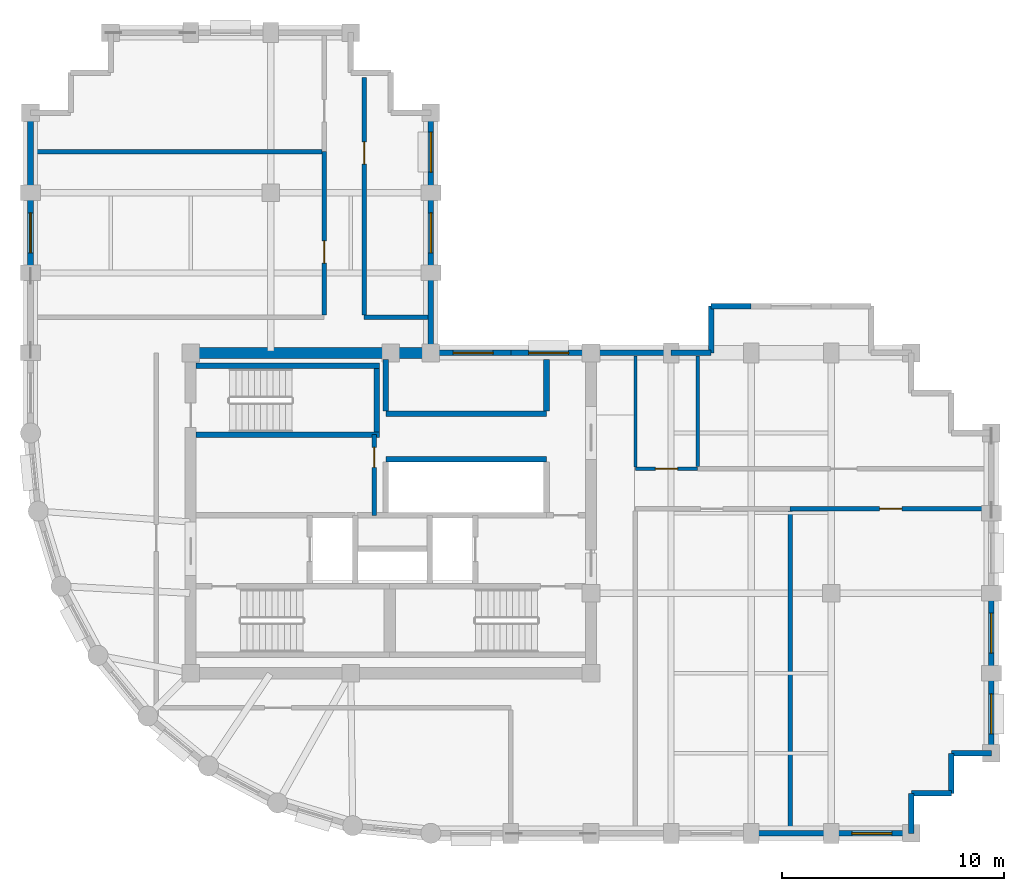
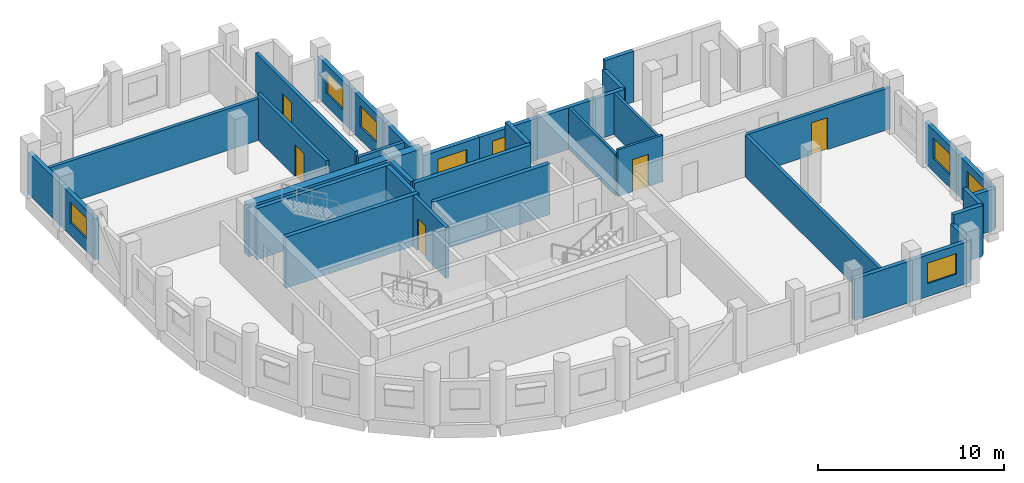
# One storey, part 4 of 7: 37 walls, 8 windows, 5 doors, 13 openings.
"""IFC4 building model written with IfcOpenShell, lengths in metres."""

import ifcopenshell
import ifcopenshell.guid

model = None  # the IFC model being written
_history = None  # IfcOwnerHistory: only IFC2X3 demands one
_inside = {}  # id of a spatial element -> (the spatial element, [elements in it])
_under = {}  # id of a project, library or spatial element -> (it, [spatial elements below it])
_declared = {}  # id of a project -> (the project, [libraries it declares])
_typed = {}  # id of a type object -> (the type object, [elements of that type])
_made_of = {}  # id of a material, layer set ... -> (it, [elements and type objects made of it])


def new_model(schema):
    """Start an empty IFC model of exactly this schema.

    Asked for "IFC4X3", IfcOpenShell would pick the latest addendum, in which some entities
    have other attributes; the version numbers below select the first issue.
    IFC2X3 requires an IfcOwnerHistory on every rooted entity: one is made here for all.
    """
    global model, _history
    if schema == "IFC4X3":
        model = ifcopenshell.file(schema_version=(4, 3, 0, 0))
    else:
        model = ifcopenshell.file(schema=schema)
    _inside.clear()
    _under.clear()
    _declared.clear()
    _typed.clear()
    _made_of.clear()
    _history = None
    if model.schema == "IFC2X3":
        org = make("IfcOrganization", Name="unknown")
        user = make(
            "IfcPersonAndOrganization",
            ThePerson=make("IfcPerson", FamilyName="unknown"),
            TheOrganization=org,
        )
        app = make(
            "IfcApplication",
            ApplicationDeveloper=org,
            Version="unknown",
            ApplicationFullName="unknown",
            ApplicationIdentifier="unknown",
        )
        _history = make(
            "IfcOwnerHistory",
            OwningUser=user,
            OwningApplication=app,
            ChangeAction="ADDED",
            CreationDate=0,
        )
    return model


def make(cls, **values):
    """One entity of the class cls with the attributes given. An attribute that is None is left unset."""
    return model.create_entity(
        cls, **{name: value for name, value in values.items() if value is not None}
    )


def rooted(cls, **values):
    """An entity with a GlobalId (a new one), such as an element, a storey or a relation."""
    return make(cls, GlobalId=ifcopenshell.guid.new(), OwnerHistory=_history, **values)


def si_unit(unit_type, name, prefix=None):
    """IfcSIUnit, for example si_unit("LENGTHUNIT", "METRE", prefix="MILLI")."""
    return make("IfcSIUnit", UnitType=unit_type, Prefix=prefix, Name=name)


def assignment(units):
    """IfcUnitAssignment: the units of a project."""
    return None if units is None else make("IfcUnitAssignment", Units=units)


def point(xyz):
    """IfcCartesianPoint."""
    return None if xyz is None else make("IfcCartesianPoint", Coordinates=xyz)


def direction(xyz):
    """IfcDirection."""
    return None if xyz is None else make("IfcDirection", DirectionRatios=xyz)


def frame(location, z_axis=None, x_axis=None):
    """IfcAxis2Placement3D, a coordinate frame: its origin and axes. An axis left out is left unset."""
    return make(
        "IfcAxis2Placement3D",
        Location=point(location),
        Axis=direction(z_axis),
        RefDirection=direction(x_axis),
    )


def frame_2d(location, x_axis=None):
    """IfcAxis2Placement2D, a coordinate frame in the plane: its origin and x axis."""
    return make(
        "IfcAxis2Placement2D", Location=point(location), RefDirection=direction(x_axis)
    )


def origin():
    """The frame at (0, 0, 0) with its axes left unset."""
    return frame((0.0, 0.0, 0.0))


def place(relative_to, where):
    """IfcLocalPlacement: puts the frame where relative to a parent placement (None: the world)."""
    return make(
        "IfcLocalPlacement", PlacementRelTo=relative_to, RelativePlacement=where
    )


def context(
    kind, dimensions, precision=None, world=None, true_north=None, identifier=None
):
    """IfcGeometricRepresentationContext, for example the 3D "Model" context."""
    return make(
        "IfcGeometricRepresentationContext",
        ContextIdentifier=identifier,
        ContextType=kind,
        CoordinateSpaceDimension=dimensions,
        Precision=precision,
        WorldCoordinateSystem=world,
        TrueNorth=true_north,
    )


def subcontext(parent, identifier, kind, view, scale=None):
    """IfcGeometricRepresentationSubContext, for example "Body" below "Model"."""
    return make(
        "IfcGeometricRepresentationSubContext",
        ContextIdentifier=identifier,
        ContextType=kind,
        ParentContext=parent,
        TargetScale=scale,
        TargetView=view,
    )


def project(units=None, contexts=None):
    """IfcProject with its units and contexts."""
    return rooted(
        "IfcProject",
        Name="project",
        RepresentationContexts=contexts,
        UnitsInContext=assignment(units),
    )


def spatial(cls, under=None, at=None, **own):
    """A site, building, storey or space (cls), placed at a placement, below another one or the project."""
    s = rooted(cls, ObjectPlacement=at, **own)
    if under is not None:
        _under.setdefault(under.id(), (under, []))[1].append(s)
    return s


def profile(cls, at=None, kind="AREA", **sizes):
    """A parametric profile (cls). Its sizes go by their IFC names, for example OverallWidth=200.0."""
    return make(cls, ProfileType=kind, Position=at, **sizes)


def rectangle(**sizes):
    """IfcRectangleProfileDef."""
    return profile("IfcRectangleProfileDef", **sizes)


def extrude(swept, where, along, depth):
    """IfcExtrudedAreaSolid: the profile swept, set in the frame where, extruded along a direction by depth."""
    return make(
        "IfcExtrudedAreaSolid",
        SweptArea=swept,
        Position=where,
        ExtrudedDirection=direction(along),
        Depth=depth,
    )


def shape(context_of_items, identifier, shape_type, items):
    """IfcShapeRepresentation: the items that make up one representation, for example the "Body"."""
    return make(
        "IfcShapeRepresentation",
        ContextOfItems=context_of_items,
        RepresentationIdentifier=identifier,
        RepresentationType=shape_type,
        Items=items,
    )


def material(Name=None, Category=None):
    """IfcMaterial."""
    return make("IfcMaterial", Name=Name, Category=Category)


def layer(
    of_material, thickness, ventilated=None, Name=None, Category=None, Priority=None
):
    """IfcMaterialLayer: one layer of a wall or slab, of a material (None: an air gap)."""
    return make(
        "IfcMaterialLayer",
        Material=of_material,
        LayerThickness=thickness,
        IsVentilated=ventilated,
        Name=Name,
        Category=Category,
        Priority=Priority,
    )


def layer_set(layers, Name=None):
    """IfcMaterialLayerSet."""
    return make("IfcMaterialLayerSet", MaterialLayers=layers, LayerSetName=Name)


def made_of(thing, what):
    """Note that an element or type object is made of a material, layer set ...; save() writes the relation."""
    if what is not None:
        _made_of.setdefault(what.id(), (what, []))[1].append(thing)
    return thing


def type_object(cls, material=None, **own):
    """A type object (cls), such as IfcWallType, which elements share."""
    return made_of(rooted(cls, **own), material)


def element(
    cls,
    number,
    at=None,
    inside=None,
    cuts=None,
    type_object=None,
    material=None,
    context=None,
    identifier="Body",
    shape_type=None,
    held_by="IfcProductDefinitionShape",
    body=None,
    shapes=None,
    **own,
):
    """One element of the class cls, such as IfcWall. Its Tag is "e" and its number.

    at: its placement. inside: the storey or other place that contains it. cuts: it is an
    opening in that element (IfcRelVoidsElement). A single representation is given by context,
    identifier, shape_type and body (its items); several are given by shapes. held_by: the class
    of the entity that holds the representations. save() writes the other relations.
    """
    e = rooted(cls, Tag="e%d" % number, ObjectPlacement=at, **own)
    if body is not None:
        shapes = [shape(context, identifier, shape_type, body)]
    if shapes is not None:
        e.Representation = make(held_by, Representations=shapes)
    if inside is not None:
        _inside.setdefault(inside.id(), (inside, []))[1].append(e)
    if cuts is not None:
        rooted(
            "IfcRelVoidsElement", RelatingBuildingElement=cuts, RelatedOpeningElement=e
        )
    if type_object is not None:
        _typed.setdefault(type_object.id(), (type_object, []))[1].append(e)
    return made_of(e, material)


def fill(opening, filler):
    """IfcRelFillsElement: the door or window that sits in an opening."""
    return rooted(
        "IfcRelFillsElement",
        RelatingOpeningElement=opening,
        RelatedBuildingElement=filler,
    )


def aggregate(whole, parts):
    """IfcRelAggregates: a whole, such as a stair, and the parts it consists of."""
    return rooted("IfcRelAggregates", RelatingObject=whole, RelatedObjects=parts)


def save(model, path):
    """Write the relations noted so far, then the file.

    IfcRelAggregates (storeys below a building ...), IfcRelContainedInSpatialStructure (elements
    in a storey), IfcRelDefinesByType, IfcRelAssociatesMaterial and IfcRelDeclares: one each for
    every whole, place, type object, material and project.
    """
    for whole, parts in _under.values():
        aggregate(whole, parts)
    for where, things in _inside.values():
        rooted(
            "IfcRelContainedInSpatialStructure",
            RelatedElements=things,
            RelatingStructure=where,
        )
    for kind, things in _typed.values():
        rooted("IfcRelDefinesByType", RelatedObjects=things, RelatingType=kind)
    for what, things in _made_of.values():
        rooted("IfcRelAssociatesMaterial", RelatedObjects=things, RelatingMaterial=what)
    for by, libraries in _declared.values():
        rooted("IfcRelDeclares", RelatingContext=by, RelatedDefinitions=libraries)
    model.write(path)


model = new_model("IFC4")

# Units and contexts
model_context = context("Model", 3, precision=1e-05, world=origin(), true_north=direction((0.0, 1.0)))
body_context = subcontext(model_context, "Body", "Model", "MODEL_VIEW")
ifc_project = project(units=[si_unit("LENGTHUNIT", "METRE"), si_unit("AREAUNIT", "SQUARE_METRE"), si_unit("VOLUMEUNIT", "CUBIC_METRE"), si_unit("PLANEANGLEUNIT", "RADIAN"), si_unit("MASSUNIT", "GRAM", prefix="KILO")], contexts=[model_context])

# Site, building, storey
site_placement = place(None, origin())
site = spatial("IfcSite", under=ifc_project, at=site_placement, CompositionType="ELEMENT")
building_placement = place(site_placement, origin())
building = spatial("IfcBuilding", under=site, at=building_placement, Name="Solnavia Interchange Tower", CompositionType="ELEMENT")
storey_placement = place(building_placement, frame((0.0, 0.0, 213.800048828125)))
storey = spatial("IfcBuildingStorey", under=building, at=storey_placement, Name="L53", CompositionType="ELEMENT", Elevation=213.800048828125)

# Wall
ifc_material_1 = material(Name="Concrete C40/50", Category="concrete")
ifc_layer_1 = layer(ifc_material_1, 0.25)
ifc_layer_set_1 = layer_set([ifc_layer_1], Name="Concrete C40/50")
wall_type_1 = type_object("IfcWallType", Name="Wall-ExtSpandrel-250", PredefinedType="STANDARD", material=ifc_layer_set_1)
wall_1_placement = place(storey_placement, frame((43.199951171875, 3.60009765625, 0.0), z_axis=(0.0, 0.0, 1.0), x_axis=(-1.0, 0.0, 0.0)))
element("IfcWall", 1, at=wall_1_placement, inside=storey, type_object=wall_type_1, Name="EXW-L53-05 Exterior precast spandrel wall", PredefinedType="STANDARD", context=body_context, shape_type="SweptSolid", body=[
    extrude(rectangle(XDim=3.599853515625, YDim=0.25, at=frame_2d((1.7998046875, 0.0))), origin(), (0.0, 0.0, 1.0), 2.72998046875),
])

# Wall, opening, window
wall_2_placement = place(storey_placement, frame((46.800048828125, 3.60009765625, 0.0), z_axis=(0.0, 0.0, 1.0), x_axis=(-1.0, 0.0, 0.0)))
wall_2 = element("IfcWall", 2, at=wall_2_placement, inside=storey, type_object=wall_type_1, Name="EXW-L53-06 Exterior precast spandrel wall", PredefinedType="STANDARD", context=body_context, shape_type="SweptSolid", body=[
    extrude(rectangle(XDim=3.60009765625, YDim=0.25, at=frame_2d((1.800048828125, 0.0))), origin(), (0.0, 0.0, 1.0), 2.72998046875),
])
opening_1_placement = place(wall_2_placement, frame((0.875, 0.0, 0.85009765625)))
opening_1 = element("IfcOpeningElement", 3, at=opening_1_placement, cuts=wall_2, Name="Opening WIN-02", PredefinedType="OPENING", context=body_context, shape_type="SweptSolid", body=[
    extrude(rectangle(XDim=1.800048828125, YDim=1.35009765625, at=frame_2d((0.89990234375, 0.675048828125))), frame((0.0, 0.135009765625, 0.0), z_axis=(0.0, -1.0, 0.0), x_axis=(1.0, 0.0, 0.0)), (0.0, 0.0, 1.0), 0.27001953125),
])
ifc_material_2 = material(Name="Thermal-Break Aluminium & Low-E Glass", Category="aluminium")
window_type = type_object("IfcWindowType", Name="Window-Ribbon-1800x1350", PartitioningType="SINGLE_PANEL", PredefinedType="WINDOW", material=ifc_material_2)
window_1_placement = place(opening_1_placement, origin())
window_1 = element("IfcWindow", 4, at=window_1_placement, inside=storey, type_object=window_type, Name="WIN-L53-06 Facade ribbon window", OverallHeight=1.35009765625, OverallWidth=1.800048828125, PartitioningType="SINGLE_PANEL", PredefinedType="WINDOW", context=body_context, shape_type="SweptSolid", body=[
    extrude(rectangle(XDim=1.800048828125, YDim=1.35009765625, at=frame_2d((0.89990234375, 0.675048828125))), frame((0.0, 0.030029296875, 0.0), z_axis=(0.0, -1.0, 0.0), x_axis=(1.0, 0.0, 0.0)), (0.0, 0.0, 1.0), 0.06005859375),
])
fill(opening_1, window_1)

# Walls
wall_3_placement = place(storey_placement, frame((46.800048828125, 5.39990234375, 0.0), z_axis=(0.0, 0.0, 1.0), x_axis=(0.0, -1.0, 0.0)))
element("IfcWall", 5, at=wall_3_placement, inside=storey, type_object=wall_type_1, Name="EXW-L53-07 Exterior precast spandrel wall", PredefinedType="STANDARD", context=body_context, shape_type="SweptSolid", body=[
    extrude(rectangle(XDim=1.7998046875, YDim=0.25, at=frame_2d((0.89990234375, 0.0))), origin(), (0.0, 0.0, 1.0), 2.72998046875),
])
for number, where, z_axis, x_axis, name in (
    (6, (48.60009765625, 5.39990234375, 0.0), (0.0, 0.0, 1.0), (-1.0, 0.0, 0.0), "EXW-L53-08 Exterior precast spandrel wall"),
    (7, (48.60009765625, 7.199951171875, 0.0), (0.0, 0.0, 1.0), (0.0, -1.0, 0.0), "EXW-L53-09 Exterior precast spandrel wall"),
):
    element("IfcWall", number, at=place(storey_placement, frame(where, z_axis=z_axis, x_axis=x_axis)), inside=storey, type_object=wall_type_1, Name=name, PredefinedType="STANDARD", context=body_context, shape_type="SweptSolid", body=[
        extrude(rectangle(XDim=1.800048828125, YDim=0.25, at=frame_2d((0.89990234375, 0.0))), origin(), (0.0, 0.0, 1.0), 3.3349609375),
    ])
wall_4_placement = place(storey_placement, frame((50.39990234375, 7.199951171875, 0.0), z_axis=(0.0, 0.0, 1.0), x_axis=(-1.0, 0.0, 0.0)))
element("IfcWall", 8, at=wall_4_placement, inside=storey, type_object=wall_type_1, Name="EXW-L53-10 Exterior precast spandrel wall", PredefinedType="STANDARD", context=body_context, shape_type="SweptSolid", body=[
    extrude(rectangle(XDim=1.7998046875, YDim=0.25, at=frame_2d((0.89990234375, 0.0))), origin(), (0.0, 0.0, 1.0), 2.72998046875),
])

# Wall, opening, window
wall_5_placement = place(storey_placement, frame((50.39990234375, 10.800048828125, 0.0), z_axis=(0.0, 0.0, 1.0), x_axis=(0.0, -1.0, 0.0)))
wall_5 = element("IfcWall", 9, at=wall_5_placement, inside=storey, type_object=wall_type_1, Name="EXW-L53-11 Exterior precast spandrel wall", PredefinedType="STANDARD", context=body_context, shape_type="SweptSolid", body=[
    extrude(rectangle(XDim=3.60009765625, YDim=0.25, at=frame_2d((1.800048828125, 0.0))), origin(), (0.0, 0.0, 1.0), 2.72998046875),
])
opening_2_placement = place(wall_5_placement, frame((0.925048828125, 0.0, 0.85009765625)))
opening_2 = element("IfcOpeningElement", 10, at=opening_2_placement, cuts=wall_5, Name="Opening WIN-02", PredefinedType="OPENING", context=body_context, shape_type="SweptSolid", body=[
    extrude(rectangle(XDim=1.800048828125, YDim=1.35009765625, at=frame_2d((0.89990234375, 0.675048828125))), frame((0.0, 0.135009765625, 0.0), z_axis=(0.0, -1.0, 0.0), x_axis=(1.0, 0.0, 0.0)), (0.0, 0.0, 1.0), 0.27001953125),
])
window_2_placement = place(opening_2_placement, origin())
window_2 = element("IfcWindow", 11, at=window_2_placement, inside=storey, type_object=window_type, Name="WIN-L53-11 Facade ribbon window", OverallHeight=1.35009765625, OverallWidth=1.800048828125, PartitioningType="SINGLE_PANEL", PredefinedType="WINDOW", context=body_context, shape_type="SweptSolid", body=[
    extrude(rectangle(XDim=1.800048828125, YDim=1.35009765625, at=frame_2d((0.89990234375, 0.675048828125))), frame((0.0, 0.030029296875, 0.0), z_axis=(0.0, -1.0, 0.0), x_axis=(1.0, 0.0, 0.0)), (0.0, 0.0, 1.0), 0.06005859375),
])
fill(opening_2, window_2)

wall_6_placement = place(storey_placement, frame((50.39990234375, 14.39990234375, 0.0), z_axis=(0.0, 0.0, 1.0), x_axis=(0.0, -1.0, 0.0)))
wall_6 = element("IfcWall", 12, at=wall_6_placement, inside=storey, type_object=wall_type_1, Name="EXW-L53-12 Exterior precast spandrel wall", PredefinedType="STANDARD", context=body_context, shape_type="SweptSolid", body=[
    extrude(rectangle(XDim=3.599853515625, YDim=0.25, at=frame_2d((1.7998046875, 0.0))), origin(), (0.0, 0.0, 1.0), 2.72998046875),
])
opening_3_placement = place(wall_6_placement, frame((0.89990234375, 0.0, 0.85009765625)))
opening_3 = element("IfcOpeningElement", 13, at=opening_3_placement, cuts=wall_6, Name="Opening WIN-02", PredefinedType="OPENING", context=body_context, shape_type="SweptSolid", body=[
    extrude(rectangle(XDim=1.800048828125, YDim=1.35009765625, at=frame_2d((0.89990234375, 0.675048828125))), frame((0.0, 0.135009765625, 0.0), z_axis=(0.0, -1.0, 0.0), x_axis=(1.0, 0.0, 0.0)), (0.0, 0.0, 1.0), 0.27001953125),
])
window_3_placement = place(opening_3_placement, origin())
window_3 = element("IfcWindow", 14, at=window_3_placement, inside=storey, type_object=window_type, Name="WIN-L53-12 Facade ribbon window", OverallHeight=1.35009765625, OverallWidth=1.800048828125, PartitioningType="SINGLE_PANEL", PredefinedType="WINDOW", context=body_context, shape_type="SweptSolid", body=[
    extrude(rectangle(XDim=1.800048828125, YDim=1.35009765625, at=frame_2d((0.89990234375, 0.675048828125))), frame((0.0, 0.030029296875, 0.0), z_axis=(0.0, -1.0, 0.0), x_axis=(1.0, 0.0, 0.0)), (0.0, 0.0, 1.0), 0.06005859375),
])
fill(opening_3, window_3)

# Walls
wall_7_placement = place(storey_placement, frame((37.800048828125, 27.300048828125, 0.0), z_axis=(0.0, 0.0, 1.0), x_axis=(1.0, 0.0, 0.0)))
element("IfcWall", 15, at=wall_7_placement, inside=storey, type_object=wall_type_1, Name="EXW-L53-23 Exterior precast spandrel wall", PredefinedType="STANDARD", context=body_context, shape_type="SweptSolid", body=[
    extrude(rectangle(XDim=1.800048828125, YDim=0.25, at=frame_2d((0.89990234375, 0.0))), origin(), (0.0, 0.0, 1.0), 3.3349609375),
])
wall_8_placement = place(storey_placement, frame((37.800048828125, 27.300048828125, 0.0), z_axis=(0.0, 0.0, 1.0), x_axis=(0.0, -1.0, 0.0)))
element("IfcWall", 16, at=wall_8_placement, inside=storey, type_object=wall_type_1, Name="EXW-L53-24 Exterior precast spandrel wall", PredefinedType="STANDARD", context=body_context, shape_type="SweptSolid", body=[
    extrude(rectangle(XDim=2.10009765625, YDim=0.25, at=frame_2d((1.050048828125, 0.0))), origin(), (0.0, 0.0, 1.0), 2.72998046875),
])
wall_9_placement = place(storey_placement, frame((36.0, 25.199951171875, 0.0), z_axis=(0.0, 0.0, 1.0), x_axis=(1.0, 0.0, 0.0)))
element("IfcWall", 17, at=wall_9_placement, inside=storey, type_object=wall_type_1, Name="EXW-L53-25 Exterior precast spandrel wall", PredefinedType="STANDARD", context=body_context, shape_type="SweptSolid", body=[
    extrude(rectangle(XDim=1.800048828125, YDim=0.25, at=frame_2d((0.89990234375, 0.0))), origin(), (0.0, 0.0, 1.0), 2.72998046875),
])
wall_10_placement = place(storey_placement, frame((32.39990234375, 25.199951171875, 0.0), z_axis=(0.0, 0.0, 1.0), x_axis=(1.0, 0.0, 0.0)))
element("IfcWall", 18, at=wall_10_placement, inside=storey, type_object=wall_type_1, Name="EXW-L53-26 Exterior precast spandrel wall", PredefinedType="STANDARD", context=body_context, shape_type="SweptSolid", body=[
    extrude(rectangle(XDim=3.60009765625, YDim=0.25, at=frame_2d((1.800048828125, 0.0))), origin(), (0.0, 0.0, 1.0), 2.72998046875),
])

# Wall, opening, window
wall_11_placement = place(storey_placement, frame((28.800048828125, 25.199951171875, 0.0), z_axis=(0.0, 0.0, 1.0), x_axis=(1.0, 0.0, 0.0)))
wall_11 = element("IfcWall", 19, at=wall_11_placement, inside=storey, type_object=wall_type_1, Name="EXW-L53-27 Exterior precast spandrel wall", PredefinedType="STANDARD", context=body_context, shape_type="SweptSolid", body=[
    extrude(rectangle(XDim=3.599853515625, YDim=0.25, at=frame_2d((1.7998046875, 0.0))), origin(), (0.0, 0.0, 1.0), 2.72998046875),
])
opening_4_placement = place(wall_11_placement, frame((0.794921875, 0.0, 0.85009765625)))
opening_4 = element("IfcOpeningElement", 20, at=opening_4_placement, cuts=wall_11, Name="Opening WIN-02", PredefinedType="OPENING", context=body_context, shape_type="SweptSolid", body=[
    extrude(rectangle(XDim=1.800048828125, YDim=1.35009765625, at=frame_2d((0.89990234375, 0.675048828125))), frame((0.0, 0.135009765625, 0.0), z_axis=(0.0, -1.0, 0.0), x_axis=(1.0, 0.0, 0.0)), (0.0, 0.0, 1.0), 0.27001953125),
])
window_4_placement = place(opening_4_placement, origin())
window_4 = element("IfcWindow", 21, at=window_4_placement, inside=storey, type_object=window_type, Name="WIN-L53-27 Facade ribbon window", OverallHeight=1.35009765625, OverallWidth=1.800048828125, PartitioningType="SINGLE_PANEL", PredefinedType="WINDOW", context=body_context, shape_type="SweptSolid", body=[
    extrude(rectangle(XDim=1.800048828125, YDim=1.35009765625, at=frame_2d((0.89990234375, 0.675048828125))), frame((0.0, 0.030029296875, 0.0), z_axis=(0.0, -1.0, 0.0), x_axis=(1.0, 0.0, 0.0)), (0.0, 0.0, 1.0), 0.06005859375),
])
fill(opening_4, window_4)

wall_12_placement = place(storey_placement, frame((25.199951171875, 25.199951171875, 0.0), z_axis=(0.0, 0.0, 1.0), x_axis=(1.0, 0.0, 0.0)))
wall_12 = element("IfcWall", 22, at=wall_12_placement, inside=storey, type_object=wall_type_1, Name="EXW-L53-28 Exterior precast spandrel wall", PredefinedType="STANDARD", context=body_context, shape_type="SweptSolid", body=[
    extrude(rectangle(XDim=3.60009765625, YDim=0.25, at=frame_2d((1.800048828125, 0.0))), origin(), (0.0, 0.0, 1.0), 2.72998046875),
])
opening_5_placement = place(wall_12_placement, frame((1.0048828125, 0.0, 0.85009765625)))
opening_5 = element("IfcOpeningElement", 23, at=opening_5_placement, cuts=wall_12, Name="Opening WIN-02", PredefinedType="OPENING", context=body_context, shape_type="SweptSolid", body=[
    extrude(rectangle(XDim=1.800048828125, YDim=1.35009765625, at=frame_2d((0.89990234375, 0.675048828125))), frame((0.0, 0.135009765625, 0.0), z_axis=(0.0, -1.0, 0.0), x_axis=(1.0, 0.0, 0.0)), (0.0, 0.0, 1.0), 0.27001953125),
])
window_5_placement = place(opening_5_placement, origin())
window_5 = element("IfcWindow", 24, at=window_5_placement, inside=storey, type_object=window_type, Name="WIN-L53-28 Facade ribbon window", OverallHeight=1.35009765625, OverallWidth=1.800048828125, PartitioningType="SINGLE_PANEL", PredefinedType="WINDOW", context=body_context, shape_type="SweptSolid", body=[
    extrude(rectangle(XDim=1.800048828125, YDim=1.35009765625, at=frame_2d((0.89990234375, 0.675048828125))), frame((0.0, 0.030029296875, 0.0), z_axis=(0.0, -1.0, 0.0), x_axis=(1.0, 0.0, 0.0)), (0.0, 0.0, 1.0), 0.06005859375),
])
fill(opening_5, window_5)

# Wall
wall_13_placement = place(storey_placement, frame((25.199951171875, 25.199951171875, 0.0), z_axis=(0.0, 0.0, 1.0), x_axis=(0.0, 1.0, 0.0)))
element("IfcWall", 25, at=wall_13_placement, inside=storey, type_object=wall_type_1, Name="EXW-L53-29 Exterior precast spandrel wall", PredefinedType="STANDARD", context=body_context, shape_type="SweptSolid", body=[
    extrude(rectangle(XDim=3.60009765625, YDim=0.25, at=frame_2d((1.800048828125, 0.0))), origin(), (0.0, 0.0, 1.0), 2.72998046875),
])

# Wall, opening, window
wall_14_placement = place(storey_placement, frame((25.199951171875, 28.800048828125, 0.0), z_axis=(0.0, 0.0, 1.0), x_axis=(0.0, 1.0, 0.0)))
wall_14 = element("IfcWall", 26, at=wall_14_placement, inside=storey, type_object=wall_type_1, Name="EXW-L53-30 Exterior precast spandrel wall", PredefinedType="STANDARD", context=body_context, shape_type="SweptSolid", body=[
    extrude(rectangle(XDim=3.599853515625, YDim=0.25, at=frame_2d((1.7998046875, 0.0))), origin(), (0.0, 0.0, 1.0), 2.72998046875),
])
opening_6_placement = place(wall_14_placement, frame((0.89990234375, 0.0, 0.85009765625)))
opening_6 = element("IfcOpeningElement", 27, at=opening_6_placement, cuts=wall_14, Name="Opening WIN-02", PredefinedType="OPENING", context=body_context, shape_type="SweptSolid", body=[
    extrude(rectangle(XDim=1.800048828125, YDim=1.35009765625, at=frame_2d((0.89990234375, 0.675048828125))), frame((0.0, 0.135009765625, 0.0), z_axis=(0.0, -1.0, 0.0), x_axis=(1.0, 0.0, 0.0)), (0.0, 0.0, 1.0), 0.27001953125),
])
window_6_placement = place(opening_6_placement, origin())
window_6 = element("IfcWindow", 28, at=window_6_placement, inside=storey, type_object=window_type, Name="WIN-L53-30 Facade ribbon window", OverallHeight=1.35009765625, OverallWidth=1.800048828125, PartitioningType="SINGLE_PANEL", PredefinedType="WINDOW", context=body_context, shape_type="SweptSolid", body=[
    extrude(rectangle(XDim=1.800048828125, YDim=1.35009765625, at=frame_2d((0.89990234375, 0.675048828125))), frame((0.0, 0.030029296875, 0.0), z_axis=(0.0, -1.0, 0.0), x_axis=(1.0, 0.0, 0.0)), (0.0, 0.0, 1.0), 0.06005859375),
])
fill(opening_6, window_6)

wall_15_placement = place(storey_placement, frame((25.199951171875, 32.39990234375, 0.0), z_axis=(0.0, 0.0, 1.0), x_axis=(0.0, 1.0, 0.0)))
wall_15 = element("IfcWall", 29, at=wall_15_placement, inside=storey, type_object=wall_type_1, Name="EXW-L53-31 Exterior precast spandrel wall", PredefinedType="STANDARD", context=body_context, shape_type="SweptSolid", body=[
    extrude(rectangle(XDim=3.60009765625, YDim=0.25, at=frame_2d((1.800048828125, 0.0))), origin(), (0.0, 0.0, 1.0), 2.72998046875),
])
opening_7_placement = place(wall_15_placement, frame((0.925048828125, 0.0, 0.85009765625)))
opening_7 = element("IfcOpeningElement", 30, at=opening_7_placement, cuts=wall_15, Name="Opening WIN-02", PredefinedType="OPENING", context=body_context, shape_type="SweptSolid", body=[
    extrude(rectangle(XDim=1.800048828125, YDim=1.35009765625, at=frame_2d((0.89990234375, 0.675048828125))), frame((0.0, 0.135009765625, 0.0), z_axis=(0.0, -1.0, 0.0), x_axis=(1.0, 0.0, 0.0)), (0.0, 0.0, 1.0), 0.27001953125),
])
window_7_placement = place(opening_7_placement, origin())
window_7 = element("IfcWindow", 31, at=window_7_placement, inside=storey, type_object=window_type, Name="WIN-L53-31 Facade ribbon window", OverallHeight=1.35009765625, OverallWidth=1.800048828125, PartitioningType="SINGLE_PANEL", PredefinedType="WINDOW", context=body_context, shape_type="SweptSolid", body=[
    extrude(rectangle(XDim=1.800048828125, YDim=1.35009765625, at=frame_2d((0.89990234375, 0.675048828125))), frame((0.0, 0.030029296875, 0.0), z_axis=(0.0, -1.0, 0.0), x_axis=(1.0, 0.0, 0.0)), (0.0, 0.0, 1.0), 0.06005859375),
])
fill(opening_7, window_7)

# Wall
wall_16_placement = place(storey_placement, frame((7.199951171875, 32.39990234375, 0.0), z_axis=(0.0, 0.0, 1.0), x_axis=(0.0, 1.0, 0.0)))
element("IfcWall", 32, at=wall_16_placement, inside=storey, type_object=wall_type_1, Name="EXW-L53-43 Exterior precast spandrel wall", PredefinedType="STANDARD", context=body_context, shape_type="SweptSolid", body=[
    extrude(rectangle(XDim=3.60009765625, YDim=0.25, at=frame_2d((1.800048828125, 0.0))), origin(), (0.0, 0.0, 1.0), 2.72998046875),
])

# Wall, opening, window
wall_17_placement = place(storey_placement, frame((7.199951171875, 28.800048828125, 0.0), z_axis=(0.0, 0.0, 1.0), x_axis=(0.0, 1.0, 0.0)))
wall_17 = element("IfcWall", 33, at=wall_17_placement, inside=storey, type_object=wall_type_1, Name="EXW-L53-44 Exterior precast spandrel wall", PredefinedType="STANDARD", context=body_context, shape_type="SweptSolid", body=[
    extrude(rectangle(XDim=3.599853515625, YDim=0.25, at=frame_2d((1.7998046875, 0.0))), origin(), (0.0, 0.0, 1.0), 2.72998046875),
])
opening_8_placement = place(wall_17_placement, frame((0.89990234375, 0.0, 0.85009765625)))
opening_8 = element("IfcOpeningElement", 34, at=opening_8_placement, cuts=wall_17, Name="Opening WIN-02", PredefinedType="OPENING", context=body_context, shape_type="SweptSolid", body=[
    extrude(rectangle(XDim=1.800048828125, YDim=1.35009765625, at=frame_2d((0.89990234375, 0.675048828125))), frame((0.0, 0.135009765625, 0.0), z_axis=(0.0, -1.0, 0.0), x_axis=(1.0, 0.0, 0.0)), (0.0, 0.0, 1.0), 0.27001953125),
])
window_8_placement = place(opening_8_placement, origin())
window_8 = element("IfcWindow", 35, at=window_8_placement, inside=storey, type_object=window_type, Name="WIN-L53-44 Facade ribbon window", OverallHeight=1.35009765625, OverallWidth=1.800048828125, PartitioningType="SINGLE_PANEL", PredefinedType="WINDOW", context=body_context, shape_type="SweptSolid", body=[
    extrude(rectangle(XDim=1.800048828125, YDim=1.35009765625, at=frame_2d((0.89990234375, 0.675048828125))), frame((0.0, 0.030029296875, 0.0), z_axis=(0.0, -1.0, 0.0), x_axis=(1.0, 0.0, 0.0)), (0.0, 0.0, 1.0), 0.06005859375),
])
fill(opening_8, window_8)

# Wall, opening, door
ifc_layer_2 = layer(ifc_material_1, 0.199951171875)
ifc_layer_set_2 = layer_set([ifc_layer_2], Name="Concrete C40/50")
wall_type_2 = type_object("IfcWallType", Name="Wall-PlantFire-200", PredefinedType="PARTITIONING", material=ifc_layer_set_2)
wall_18_placement = place(storey_placement, frame((22.64990234375, 17.89990234375, 0.0), z_axis=(0.0, 0.0, 1.0), x_axis=(0.0, 1.0, 0.0)))
wall_18 = element("IfcWall", 36, at=wall_18_placement, inside=storey, type_object=wall_type_2, Name="CSW-L53-53E Core shaft wall", PredefinedType="PARTITIONING", context=body_context, shape_type="SweptSolid", body=[
    extrude(rectangle(XDim=3.625, YDim=0.199951171875, at=frame_2d((1.8125, 0.0))), origin(), (0.0, 0.0, 1.0), 3.3349609375),
])
opening_9_placement = place(wall_18_placement, frame((2.14990234375, 0.0, 0.0)))
opening_9 = element("IfcOpeningElement", 37, at=opening_9_placement, cuts=wall_18, Name="Opening DR-09", PredefinedType="OPENING", context=body_context, shape_type="SweptSolid", body=[
    extrude(rectangle(XDim=0.89990234375, YDim=2.10009765625, at=frame_2d((0.449951171875, 1.050048828125))), frame((0.0, 0.10986328125, 0.0), z_axis=(0.0, -1.0, 0.0), x_axis=(1.0, 0.0, 0.0)), (0.0, 0.0, 1.0), 0.219970703125),
])
ifc_material_3 = material(Name="Engineered Oak Veneer Door", Category="wood")
door_type_1 = type_object("IfcDoorType", Name="Door-Internal-900x2100", OperationType="SINGLE_SWING_LEFT", PredefinedType="DOOR", material=ifc_material_3)
door_1_placement = place(opening_9_placement, origin())
door_1 = element("IfcDoor", 38, at=door_1_placement, inside=storey, type_object=door_type_1, Name="DR-L53-C53 Core fire door", OperationType="SINGLE_SWING_LEFT", OverallHeight=2.10009765625, OverallWidth=0.89990234375, PredefinedType="DOOR", context=body_context, shape_type="SweptSolid", body=[
    extrude(rectangle(XDim=0.89990234375, YDim=2.10009765625, at=frame_2d((0.449951171875, 1.050048828125))), frame((0.0, 0.02490234375, 0.0), z_axis=(0.0, -1.0, 0.0), x_axis=(1.0, 0.0, 0.0)), (0.0, 0.0, 1.0), 0.050048828125),
])
fill(opening_9, door_1)

wall_19_placement = place(storey_placement, frame((41.35009765625, 18.199951171875, 0.0), z_axis=(0.0, 0.0, 1.0), x_axis=(1.0, 0.0, 0.0)))
wall_19 = element("IfcWall", 39, at=wall_19_placement, inside=storey, type_object=wall_type_2, Name="PTW-L53-06 Interior partition wall", PredefinedType="PARTITIONING", context=body_context, shape_type="SweptSolid", body=[
    extrude(rectangle(XDim=8.9208984375, YDim=0.199951171875, at=frame_2d((4.46044921875, 0.0))), origin(), (0.0, 0.0, 1.0), 2.72998046875),
])
opening_10_placement = place(wall_19_placement, frame((4.02490234375, 0.0, 0.0)))
opening_10 = element("IfcOpeningElement", 40, at=opening_10_placement, cuts=wall_19, Name="Opening DR-04", PredefinedType="OPENING", context=body_context, shape_type="SweptSolid", body=[
    extrude(rectangle(XDim=1.0, YDim=2.10009765625, at=frame_2d((0.5, 1.050048828125))), frame((0.0, 0.10986328125, 0.0), z_axis=(0.0, -1.0, 0.0), x_axis=(1.0, 0.0, 0.0)), (0.0, 0.0, 1.0), 0.219970703125),
])
ifc_material_4 = material(Name="Steel Fire-Rated Plant Door", Category="steel")
door_type_2 = type_object("IfcDoorType", Name="Door-PlantFire-1000x2100", OperationType="SINGLE_SWING_LEFT", PredefinedType="DOOR", material=ifc_material_4)
door_2_placement = place(opening_10_placement, origin())
door_2 = element("IfcDoor", 41, at=door_2_placement, inside=storey, type_object=door_type_2, Name="DR-L53-04 Interior room door", OperationType="SINGLE_SWING_RIGHT", OverallHeight=2.10009765625, OverallWidth=1.0, PredefinedType="DOOR", context=body_context, shape_type="SweptSolid", body=[
    extrude(rectangle(XDim=1.0, YDim=2.10009765625, at=frame_2d((0.5, 1.050048828125))), frame((0.0, 0.02490234375, 0.0), z_axis=(0.0, -1.0, 0.0), x_axis=(1.0, 0.0, 0.0)), (0.0, 0.0, 1.0), 0.050048828125),
])
fill(opening_10, door_2)

# Walls
wall_20_placement = place(storey_placement, frame((41.35009765625, 3.72900390625, 0.0), z_axis=(0.0, 0.0, 1.0), x_axis=(0.0, 1.0, 0.0)))
element("IfcWall", 42, at=wall_20_placement, inside=storey, type_object=wall_type_2, Name="PTW-L53-08 Interior partition wall", PredefinedType="PARTITIONING", context=body_context, shape_type="SweptSolid", body=[
    extrude(rectangle(XDim=14.366943359375, YDim=0.199951171875, at=frame_2d((7.18359375, 0.0))), origin(), (0.0, 0.0, 1.0), 2.72998046875),
])
wall_21_placement = place(storey_placement, frame((22.199951171875, 26.800048828125, 0.0), z_axis=(0.0, 0.0, 1.0), x_axis=(1.0, 0.0, 0.0)))
element("IfcWall", 43, at=wall_21_placement, inside=storey, type_object=wall_type_2, Name="PTW-L53-14 Interior partition wall", PredefinedType="PARTITIONING", context=body_context, shape_type="SweptSolid", body=[
    extrude(rectangle(XDim=2.87109375, YDim=0.199951171875, at=frame_2d((1.435546875, 0.0))), origin(), (0.0, 0.0, 1.0), 2.72998046875),
])

# Wall, opening, door
wall_22_placement = place(storey_placement, frame((20.39990234375, 26.904052734375, 0.0), z_axis=(0.0, 0.0, 1.0), x_axis=(0.0, 1.0, 0.0)))
wall_22 = element("IfcWall", 44, at=wall_22_placement, inside=storey, type_object=wall_type_2, Name="PTW-L53-15 Interior partition wall", PredefinedType="PARTITIONING", context=body_context, shape_type="SweptSolid", body=[
    extrude(rectangle(XDim=7.345947265625, YDim=0.199951171875, at=frame_2d((3.6728515625, 0.0))), origin(), (0.0, 0.0, 1.0), 3.030029296875),
])
opening_11_placement = place(wall_22_placement, frame((2.3310546875, 0.0, 0.0)))
opening_11 = element("IfcOpeningElement", 45, at=opening_11_placement, cuts=wall_22, Name="Opening DR-04", PredefinedType="OPENING", context=body_context, shape_type="SweptSolid", body=[
    extrude(rectangle(XDim=1.0, YDim=2.10009765625, at=frame_2d((0.5, 1.050048828125))), frame((0.0, 0.10986328125, 0.0), z_axis=(0.0, -1.0, 0.0), x_axis=(1.0, 0.0, 0.0)), (0.0, 0.0, 1.0), 0.219970703125),
])
door_3_placement = place(opening_11_placement, origin())
door_3 = element("IfcDoor", 46, at=door_3_placement, inside=storey, type_object=door_type_2, Name="DR-L53-07 Interior room door", OperationType="SINGLE_SWING_LEFT", OverallHeight=2.10009765625, OverallWidth=1.0, PredefinedType="DOOR", context=body_context, shape_type="SweptSolid", body=[
    extrude(rectangle(XDim=1.0, YDim=2.10009765625, at=frame_2d((0.5, 1.050048828125))), frame((0.0, 0.02490234375, 0.0), z_axis=(0.0, -1.0, 0.0), x_axis=(1.0, 0.0, 0.0)), (0.0, 0.0, 1.0), 0.050048828125),
])
fill(opening_11, door_3)

# Wall
wall_23_placement = place(storey_placement, frame((7.3291015625, 34.25, 0.0), z_axis=(0.0, 0.0, 1.0), x_axis=(1.0, 0.0, 0.0)))
element("IfcWall", 47, at=wall_23_placement, inside=storey, type_object=wall_type_2, Name="PTW-L53-17 Interior partition wall", PredefinedType="PARTITIONING", context=body_context, shape_type="SweptSolid", body=[
    extrude(rectangle(XDim=12.966796875, YDim=0.199951171875, at=frame_2d((6.4833984375, 0.0))), origin(), (0.0, 0.0, 1.0), 2.72998046875),
])

# Wall, opening, door
wall_24_placement = place(storey_placement, frame((22.199951171875, 26.904052734375, 0.0), z_axis=(0.0, 0.0, 1.0), x_axis=(0.0, 1.0, 0.0)))
wall_24 = element("IfcWall", 48, at=wall_24_placement, inside=storey, type_object=wall_type_2, Name="PTW-L53-18 Interior partition wall", PredefinedType="PARTITIONING", context=body_context, shape_type="SweptSolid", body=[
    extrude(rectangle(XDim=10.69091796875, YDim=0.199951171875, at=frame_2d((5.345458984375, 0.0))), origin(), (0.0, 0.0, 1.0), 3.030029296875),
])
opening_12_placement = place(wall_24_placement, frame((6.7890625, 0.0, 0.0)))
opening_12 = element("IfcOpeningElement", 49, at=opening_12_placement, cuts=wall_24, Name="Opening DR-04", PredefinedType="OPENING", context=body_context, shape_type="SweptSolid", body=[
    extrude(rectangle(XDim=1.0, YDim=2.10009765625, at=frame_2d((0.5, 1.050048828125))), frame((0.0, 0.10986328125, 0.0), z_axis=(0.0, -1.0, 0.0), x_axis=(1.0, 0.0, 0.0)), (0.0, 0.0, 1.0), 0.219970703125),
])
door_4_placement = place(opening_12_placement, origin())
door_4 = element("IfcDoor", 50, at=door_4_placement, inside=storey, type_object=door_type_2, Name="DR-L53-09 Interior room door", OperationType="SINGLE_SWING_RIGHT", OverallHeight=2.10009765625, OverallWidth=1.0, PredefinedType="DOOR", context=body_context, shape_type="SweptSolid", body=[
    extrude(rectangle(XDim=1.0, YDim=2.10009765625, at=frame_2d((0.5, 1.050048828125))), frame((0.0, 0.02490234375, 0.0), z_axis=(0.0, -1.0, 0.0), x_axis=(1.0, 0.0, 0.0)), (0.0, 0.0, 1.0), 0.050048828125),
])
fill(opening_12, door_4)

# Walls
ifc_layer_3 = layer(ifc_material_1, 0.25)
ifc_layer_set_3 = layer_set([ifc_layer_3], Name="Concrete C40/50")
wall_type_3 = type_object("IfcWallType", Name="Wall-ShaftCore-250", PredefinedType="SHEAR", material=ifc_layer_set_3)
for number, where, z_axis, x_axis, name in (
    (51, (14.64990234375, 21.52490234375, 0.0), (0.0, 0.0, 1.0), (1.0, 0.0, 0.0), "SHW-L53-ST3S Core shear wall"),
    (52, (14.64990234375, 24.614990234375, 0.0), (0.0, 0.0, 1.0), (1.0, 0.0, 0.0), "SHW-L53-ST3N Core shear wall"),
):
    element("IfcWall", number, at=place(storey_placement, frame(where, z_axis=z_axis, x_axis=x_axis)), inside=storey, type_object=wall_type_3, Name=name, PredefinedType="SHEAR", context=body_context, shape_type="SweptSolid", body=[
        extrude(rectangle(XDim=8.25, YDim=0.25, at=frame_2d((4.125, 0.0))), origin(), (0.0, 0.0, 1.0), 3.349853515625),
    ])
wall_25_placement = place(storey_placement, frame((22.77490234375, 21.64990234375, 0.0), z_axis=(0.0, 0.0, 1.0), x_axis=(0.0, 1.0, 0.0)))
element("IfcWall", 53, at=wall_25_placement, inside=storey, type_object=wall_type_3, Name="SHW-L53-ST3E Core shear wall", PredefinedType="SHEAR", context=body_context, shape_type="SweptSolid", body=[
    extrude(rectangle(XDim=2.840087890625, YDim=0.25, at=frame_2d((1.419921875, 0.0))), origin(), (0.0, 0.0, 1.0), 3.349853515625),
])
ifc_layer_4 = layer(ifc_material_1, 0.25)
ifc_layer_set_4 = layer_set([ifc_layer_4], Name="Concrete C40/50")
wall_type_4 = type_object("IfcWallType", Name="Wall-ShaftPart-250", PredefinedType="PARTITIONING", material=ifc_layer_set_4)
for number, where, z_axis, x_axis, name in (
    (54, (23.179931640625, 20.419921875, 0.0), (0.0, 0.0, 1.0), (1.0, 0.0, 0.0), "SHW-L53-B2N Core shaft wall"),
    (55, (23.179931640625, 22.4599609375, 0.0), (0.0, 0.0, 1.0), (1.0, 0.0, 0.0), "SHW-L53-B3S Core shaft wall"),
):
    element("IfcWall", number, at=place(storey_placement, frame(where, z_axis=z_axis, x_axis=x_axis)), inside=storey, type_object=wall_type_4, Name=name, PredefinedType="PARTITIONING", context=body_context, shape_type="SweptSolid", body=[
        extrude(rectangle(XDim=7.219970703125, YDim=0.25, at=frame_2d((3.60986328125, 0.0))), origin(), (0.0, 0.0, 1.0), 3.3349609375),
    ])
for number, where, z_axis, x_axis, name in (
    (56, (23.179931640625, 22.5849609375, 0.0), (0.0, 0.0, 1.0), (0.0, 1.0, 0.0), "SHW-L53-B3W Core shaft wall"),
    (57, (30.39990234375, 22.5849609375, 0.0), (0.0, 0.0, 1.0), (0.0, 1.0, 0.0), "SHW-L53-B3E Core shaft wall"),
):
    element("IfcWall", number, at=place(storey_placement, frame(where, z_axis=z_axis, x_axis=x_axis)), inside=storey, type_object=wall_type_4, Name=name, PredefinedType="PARTITIONING", context=body_context, shape_type="SweptSolid", body=[
        extrude(rectangle(XDim=2.31494140625, YDim=0.25, at=frame_2d((1.157470703125, 0.0))), origin(), (0.0, 0.0, 1.0), 3.3349609375),
    ])
ifc_material_5 = material(Name="Concrete C60/75", Category="concrete")
ifc_layer_5 = layer(ifc_material_5, 0.5)
ifc_layer_set_5 = layer_set([ifc_layer_5], Name="Concrete C60/75")
wall_type_5 = type_object("IfcWallType", Name="Wall-ShearCore-500", PredefinedType="SHEAR", material=ifc_layer_set_5)
wall_26_placement = place(storey_placement, frame((14.39990234375, 25.199951171875, 0.0), z_axis=(0.0, 0.0, 1.0), x_axis=(1.0, 0.0, 0.0)))
element("IfcWall", 58, at=wall_26_placement, inside=storey, type_object=wall_type_5, Name="CRW-L53-N Core shear wall", PredefinedType="SHEAR", context=body_context, shape_type="SweptSolid", body=[
    extrude(rectangle(XDim=10.800048828125, YDim=0.5, at=frame_2d((5.39990234375, 0.0))), origin(), (0.0, 0.0, 1.0), 3.349853515625),
])

# Wall, opening, door
ifc_material_6 = material(Name="Moisture-Resistant Gypsum & Steel Stud", Category="steel")
ifc_layer_6 = layer(ifc_material_6, 0.14990234375)
ifc_layer_set_6 = layer_set([ifc_layer_6], Name="Moisture-Resistant Gypsum & Steel Stud")
wall_type_6 = type_object("IfcWallType", Name="Wall-WetRoom-150", PredefinedType="PARTITIONING", material=ifc_layer_set_6)
wall_27_placement = place(storey_placement, frame((34.39990234375, 20.0, 0.0), z_axis=(0.0, 0.0, 1.0), x_axis=(1.0, 0.0, 0.0)))
wall_27 = element("IfcWall", 59, at=wall_27_placement, inside=storey, type_object=wall_type_6, Name="PTW-L53-09 Interior partition wall", PredefinedType="PARTITIONING", context=body_context, shape_type="SweptSolid", body=[
    extrude(rectangle(XDim=2.800048828125, YDim=0.14990234375, at=frame_2d((1.39990234375, 0.0))), origin(), (0.0, 0.0, 1.0), 3.06005859375),
])
opening_13_placement = place(wall_27_placement, frame((0.89990234375, 0.0, 0.0)))
opening_13 = element("IfcOpeningElement", 60, at=opening_13_placement, cuts=wall_27, Name="Opening DR-07", PredefinedType="OPENING", context=body_context, shape_type="SweptSolid", body=[
    extrude(rectangle(XDim=1.0, YDim=2.10009765625, at=frame_2d((0.5, 1.050048828125))), frame((0.0, 0.0849609375, 0.0), z_axis=(0.0, -1.0, 0.0), x_axis=(1.0, 0.0, 0.0)), (0.0, 0.0, 1.0), 0.169921875),
])
ifc_material_7 = material(Name="Timber & Acoustic Glazed Office Door", Category="wood")
door_type_3 = type_object("IfcDoorType", Name="Door-Office-1000x2100", OperationType="SINGLE_SWING_RIGHT", PredefinedType="DOOR", material=ifc_material_7)
door_5_placement = place(opening_13_placement, origin())
door_5 = element("IfcDoor", 61, at=door_5_placement, inside=storey, type_object=door_type_3, Name="DR-L53-05 Interior room door", OperationType="SINGLE_SWING_LEFT", OverallHeight=2.10009765625, OverallWidth=1.0, PredefinedType="DOOR", context=body_context, shape_type="SweptSolid", body=[
    extrude(rectangle(XDim=1.0, YDim=2.10009765625, at=frame_2d((0.5, 1.050048828125))), frame((0.0, 0.02490234375, 0.0), z_axis=(0.0, -1.0, 0.0), x_axis=(1.0, 0.0, 0.0)), (0.0, 0.0, 1.0), 0.050048828125),
])
fill(opening_13, door_5)

# Walls
wall_28_placement = place(storey_placement, frame((34.39990234375, 20.0791015625, 0.0), z_axis=(0.0, 0.0, 1.0), x_axis=(0.0, 1.0, 0.0)))
element("IfcWall", 62, at=wall_28_placement, inside=storey, type_object=wall_type_6, Name="PTW-L53-11 Interior partition wall", PredefinedType="PARTITIONING", context=body_context, shape_type="SweptSolid", body=[
    extrude(rectangle(XDim=4.991943359375, YDim=0.14990234375, at=frame_2d((2.49609375, 0.0))), origin(), (0.0, 0.0, 1.0), 2.72998046875),
])
wall_29_placement = place(storey_placement, frame((37.199951171875, 20.10400390625, 0.0), z_axis=(0.0, 0.0, 1.0), x_axis=(0.0, 1.0, 0.0)))
element("IfcWall", 63, at=wall_29_placement, inside=storey, type_object=wall_type_6, Name="PTW-L53-12 Interior partition wall", PredefinedType="PARTITIONING", context=body_context, shape_type="SweptSolid", body=[
    extrude(rectangle(XDim=4.967041015625, YDim=0.14990234375, at=frame_2d((2.4833984375, 0.0))), origin(), (0.0, 0.0, 1.0), 2.72998046875),
])

save(model, "model.ifc")
